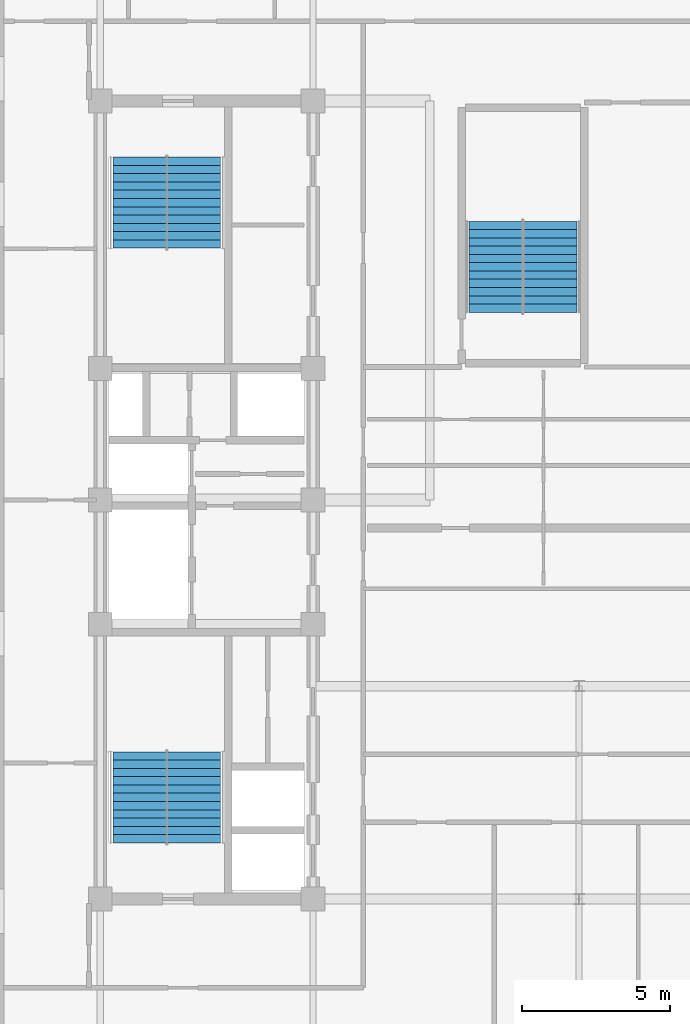
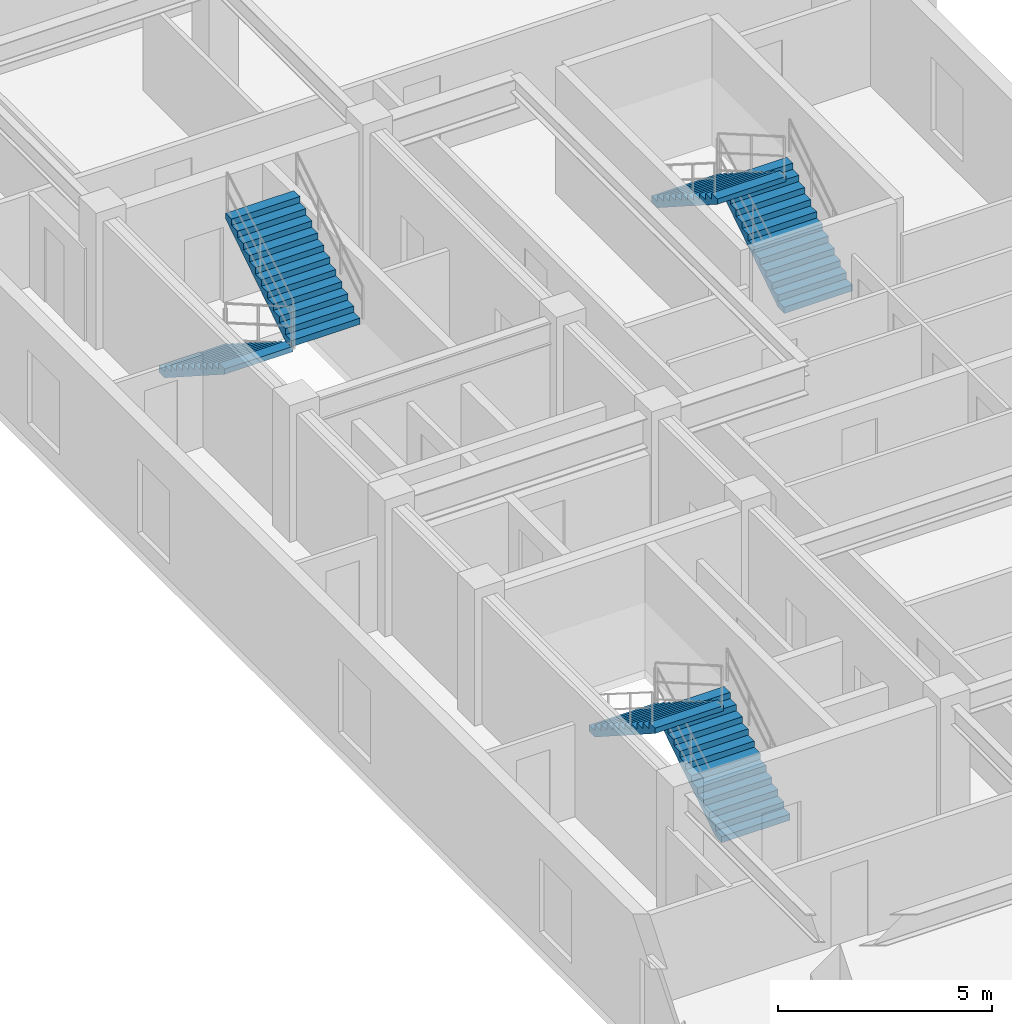
# One storey, part 7 of 10: 6 stair flights, 3 elements without a shape of their own.
"""IFC4 building model written with IfcOpenShell, lengths in metres."""

from ifc_helpers import new_model, entity, si_unit, converted_unit, direction, frame, origin_with_axes, place, context, subcontext, project, spatial, polyline, outline, extrude, material, type_object, element, aggregate, save


model = new_model("IFC4")

# Units and contexts
model_context = context("Model", 3, precision=1e-05, world=origin_with_axes(), true_north=direction((0.0, 1.0)))
body_context = subcontext(model_context, "Body", "Model", "MODEL_VIEW")
ifc_project = project(units=[si_unit("LENGTHUNIT", "METRE"), si_unit("AREAUNIT", "SQUARE_METRE"), si_unit("VOLUMEUNIT", "CUBIC_METRE"), converted_unit("PLANEANGLEUNIT", "DEGREE", entity("IfcPlaneAngleMeasure", 0.017453292519943295), si_unit("PLANEANGLEUNIT", "RADIAN"), dimensions=[0, 0, 0, 0, 0, 0, 0]), si_unit("MASSUNIT", "GRAM", prefix="KILO"), si_unit("THERMODYNAMICTEMPERATUREUNIT", "KELVIN")], contexts=[model_context])

# Site, building, storey
site_placement = place(None, origin_with_axes())
site = spatial("IfcSite", under=ifc_project, at=site_placement, CompositionType="ELEMENT")
building_placement = place(site_placement, origin_with_axes())
building = spatial("IfcBuilding", under=site, at=building_placement, Name="Varnlund Millrace Tower", CompositionType="ELEMENT")
storey_placement = place(building_placement, frame((0.0, 0.0, 284.1), z_axis=(0.0, 0.0, 1.0), x_axis=(1.0, 0.0, 0.0)))
storey = spatial("IfcBuildingStorey", under=building, at=storey_placement, Name="L70", CompositionType="ELEMENT", Elevation=284.1)

# Stair, stair flights
ifc_material_1 = material(Name="Concrete C50/60", Category="concrete")
stair_type = type_object("IfcStairType", Name="Type-Stair-Dogleg-185-390", PredefinedType="HALF_TURN_STAIR", material=ifc_material_1)
stair_1_placement = place(storey_placement, origin_with_axes())
stair_1 = element("IfcStair", 1, at=stair_1_placement, inside=storey, type_object=stair_type, Name="Type-Stair-Dogleg-185-390", PredefinedType="HALF_TURN_STAIR")
ifc_material_2 = material(Name="Precast concrete C50/60", Category="concrete")
stair_flight_type = type_object("IfcStairFlightType", Name="Type-Dogleg-Run-185-390", PredefinedType="STRAIGHT", material=ifc_material_2)
stair_flight_1_placement = place(storey_placement, frame((13.625, 12.7, 0.0), z_axis=(1.0, 0.0, 0.0), x_axis=(0.0, 1.0, 0.0)))
stair_flight_1 = element("IfcStairFlight", 2, at=stair_flight_1_placement, type_object=stair_flight_type, Name="ST-A1 flight 1", NumberOfRisers=11, NumberOfTreads=11, PredefinedType="STRAIGHT", RiserHeight=0.177273, TreadLength=0.28, context=body_context, shape_type="SweptSolid", body=[
    extrude(outline(polyline([(0.0, 0.0), (0.0, 0.177273), (0.28, 0.177273), (0.28, 0.354545), (0.56, 0.354545), (0.56, 0.531818), (0.84, 0.531818), (0.84, 0.709091), (1.12, 0.709091), (1.12, 0.886364), (1.4, 0.886364), (1.4, 1.063636), (1.68, 1.063636), (1.68, 1.240909), (1.96, 1.240909), (1.96, 1.418182), (2.24, 1.418182), (2.24, 1.595454), (2.52, 1.595454), (2.52, 1.772727), (2.8, 1.772727), (2.8, 1.95), (3.08, 1.95), (3.08, 1.8), (0.28, 0.0), (0.0, 0.0)])), origin_with_axes(), (0.0, 0.0, 1.0), 1.85),
])
stair_flight_2_placement = place(storey_placement, frame((13.675, 15.78, 1.95), z_axis=(-1.0, 0.0, 0.0), x_axis=(0.0, -1.0, 0.0)))
stair_flight_2 = element("IfcStairFlight", 3, at=stair_flight_2_placement, type_object=stair_flight_type, Name="ST-A1 flight 2", NumberOfRisers=11, NumberOfTreads=11, PredefinedType="STRAIGHT", RiserHeight=0.177273, TreadLength=0.28, context=body_context, shape_type="SweptSolid", body=[
    extrude(outline(polyline([(0.0, 0.0), (0.0, 0.177273), (0.28, 0.177273), (0.28, 0.354545), (0.56, 0.354545), (0.56, 0.531818), (0.84, 0.531818), (0.84, 0.709091), (1.12, 0.709091), (1.12, 0.886364), (1.4, 0.886364), (1.4, 1.063636), (1.68, 1.063636), (1.68, 1.240909), (1.96, 1.240909), (1.96, 1.418182), (2.24, 1.418182), (2.24, 1.595454), (2.52, 1.595454), (2.52, 1.772727), (2.8, 1.772727), (2.8, 1.95), (3.08, 1.95), (3.08, 1.8), (0.28, 0.0), (0.0, 0.0)])), origin_with_axes(), (0.0, 0.0, 1.0), 1.85),
])
aggregate(stair_1, [stair_flight_1, stair_flight_2])

stair_2_placement = place(storey_placement, origin_with_axes())
stair_2 = element("IfcStair", 4, at=stair_2_placement, inside=storey, type_object=stair_type, Name="Type-Stair-Dogleg-185-390", PredefinedType="HALF_TURN_STAIR")
stair_flight_3_placement = place(storey_placement, frame((13.675, 35.9, 0.0), z_axis=(-1.0, 0.0, 0.0), x_axis=(0.0, -1.0, 0.0)))
stair_flight_3 = element("IfcStairFlight", 5, at=stair_flight_3_placement, type_object=stair_flight_type, Name="ST-A2 flight 1", NumberOfRisers=11, NumberOfTreads=11, PredefinedType="STRAIGHT", RiserHeight=0.177273, TreadLength=0.28, context=body_context, shape_type="SweptSolid", body=[
    extrude(outline(polyline([(0.0, 0.0), (0.0, 0.177273), (0.28, 0.177273), (0.28, 0.354545), (0.56, 0.354545), (0.56, 0.531818), (0.84, 0.531818), (0.84, 0.709091), (1.12, 0.709091), (1.12, 0.886364), (1.4, 0.886364), (1.4, 1.063636), (1.68, 1.063636), (1.68, 1.240909), (1.96, 1.240909), (1.96, 1.418182), (2.24, 1.418182), (2.24, 1.595454), (2.52, 1.595454), (2.52, 1.772727), (2.8, 1.772727), (2.8, 1.95), (3.08, 1.95), (3.08, 1.8), (0.28, 0.0), (0.0, 0.0)])), origin_with_axes(), (0.0, 0.0, 1.0), 1.85),
])
stair_flight_4_placement = place(storey_placement, frame((13.625, 32.82, 1.95), z_axis=(1.0, 0.0, 0.0), x_axis=(0.0, 1.0, 0.0)))
stair_flight_4 = element("IfcStairFlight", 6, at=stair_flight_4_placement, type_object=stair_flight_type, Name="ST-A2 flight 2", NumberOfRisers=11, NumberOfTreads=11, PredefinedType="STRAIGHT", RiserHeight=0.177273, TreadLength=0.28, context=body_context, shape_type="SweptSolid", body=[
    extrude(outline(polyline([(0.0, 0.0), (0.0, 0.177273), (0.28, 0.177273), (0.28, 0.354545), (0.56, 0.354545), (0.56, 0.531818), (0.84, 0.531818), (0.84, 0.709091), (1.12, 0.709091), (1.12, 0.886364), (1.4, 0.886364), (1.4, 1.063636), (1.68, 1.063636), (1.68, 1.240909), (1.96, 1.240909), (1.96, 1.418182), (2.24, 1.418182), (2.24, 1.595454), (2.52, 1.595454), (2.52, 1.772727), (2.8, 1.772727), (2.8, 1.95), (3.08, 1.95), (3.08, 1.8), (0.28, 0.0), (0.0, 0.0)])), origin_with_axes(), (0.0, 0.0, 1.0), 1.85),
])
aggregate(stair_2, [stair_flight_3, stair_flight_4])

stair_3_placement = place(storey_placement, origin_with_axes())
stair_3 = element("IfcStair", 7, at=stair_3_placement, inside=storey, type_object=stair_type, Name="Type-Stair-Dogleg-185-390", PredefinedType="HALF_TURN_STAIR")
stair_flight_5_placement = place(storey_placement, frame((25.675, 30.65, 0.0), z_axis=(1.0, 0.0, 0.0), x_axis=(0.0, 1.0, 0.0)))
stair_flight_5 = element("IfcStairFlight", 8, at=stair_flight_5_placement, type_object=stair_flight_type, Name="ST-A3 flight 1", NumberOfRisers=11, NumberOfTreads=11, PredefinedType="STRAIGHT", RiserHeight=0.177273, TreadLength=0.28, context=body_context, shape_type="SweptSolid", body=[
    extrude(outline(polyline([(0.0, 0.0), (0.0, 0.177273), (0.28, 0.177273), (0.28, 0.354545), (0.56, 0.354545), (0.56, 0.531818), (0.84, 0.531818), (0.84, 0.709091), (1.12, 0.709091), (1.12, 0.886364), (1.4, 0.886364), (1.4, 1.063636), (1.68, 1.063636), (1.68, 1.240909), (1.96, 1.240909), (1.96, 1.418182), (2.24, 1.418182), (2.24, 1.595454), (2.52, 1.595454), (2.52, 1.772727), (2.8, 1.772727), (2.8, 1.95), (3.08, 1.95), (3.08, 1.8), (0.28, 0.0), (0.0, 0.0)])), origin_with_axes(), (0.0, 0.0, 1.0), 1.85),
])
stair_flight_6_placement = place(storey_placement, frame((25.725, 33.73, 1.95), z_axis=(-1.0, 0.0, 0.0), x_axis=(0.0, -1.0, 0.0)))
stair_flight_6 = element("IfcStairFlight", 9, at=stair_flight_6_placement, type_object=stair_flight_type, Name="ST-A3 flight 2", NumberOfRisers=11, NumberOfTreads=11, PredefinedType="STRAIGHT", RiserHeight=0.177273, TreadLength=0.28, context=body_context, shape_type="SweptSolid", body=[
    extrude(outline(polyline([(0.0, 0.0), (0.0, 0.177273), (0.28, 0.177273), (0.28, 0.354545), (0.56, 0.354545), (0.56, 0.531818), (0.84, 0.531818), (0.84, 0.709091), (1.12, 0.709091), (1.12, 0.886364), (1.4, 0.886364), (1.4, 1.063636), (1.68, 1.063636), (1.68, 1.240909), (1.96, 1.240909), (1.96, 1.418182), (2.24, 1.418182), (2.24, 1.595454), (2.52, 1.595454), (2.52, 1.772727), (2.8, 1.772727), (2.8, 1.95), (3.08, 1.95), (3.08, 1.8), (0.28, 0.0), (0.0, 0.0)])), origin_with_axes(), (0.0, 0.0, 1.0), 1.85),
])
aggregate(stair_3, [stair_flight_5, stair_flight_6])

save(model, "model.ifc")
